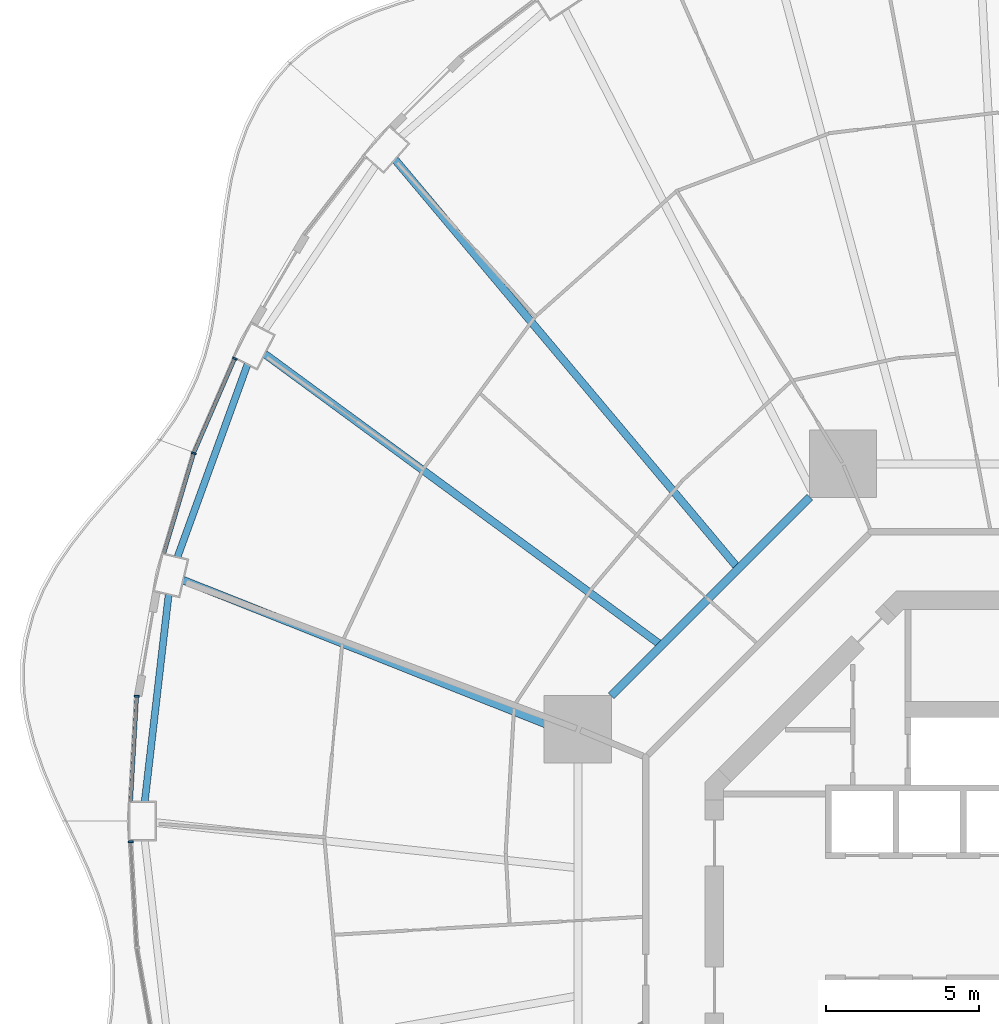
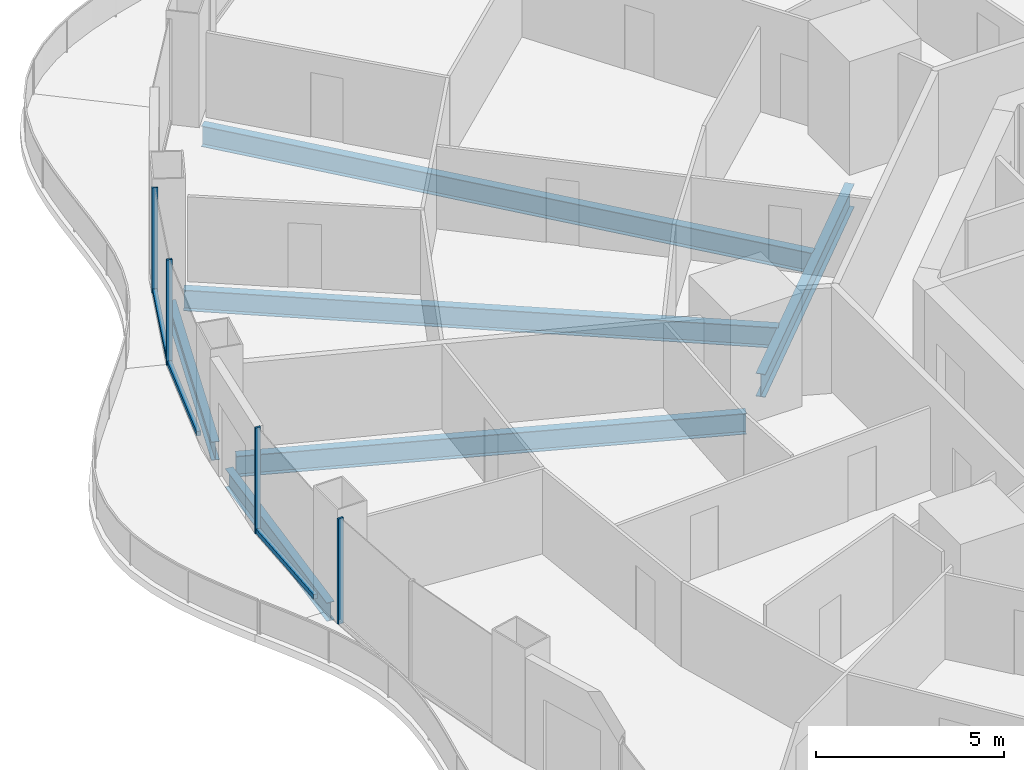
# One storey, part 7 of 22: 7 members, 6 beams, 4 elements without a shape of their own.
"""IFC4 building model written with IfcOpenShell, lengths in metres."""

import ifcopenshell
import ifcopenshell.guid

model = None  # the IFC model being written
_history = None  # IfcOwnerHistory: only IFC2X3 demands one
_inside = {}  # id of a spatial element -> (the spatial element, [elements in it])
_under = {}  # id of a project, library or spatial element -> (it, [spatial elements below it])
_declared = {}  # id of a project -> (the project, [libraries it declares])
_typed = {}  # id of a type object -> (the type object, [elements of that type])
_made_of = {}  # id of a material, layer set ... -> (it, [elements and type objects made of it])


def new_model(schema):
    """Start an empty IFC model of exactly this schema.

    Asked for "IFC4X3", IfcOpenShell would pick the latest addendum, in which some entities
    have other attributes; the version numbers below select the first issue.
    IFC2X3 requires an IfcOwnerHistory on every rooted entity: one is made here for all.
    """
    global model, _history
    if schema == "IFC4X3":
        model = ifcopenshell.file(schema_version=(4, 3, 0, 0))
    else:
        model = ifcopenshell.file(schema=schema)
    _inside.clear()
    _under.clear()
    _declared.clear()
    _typed.clear()
    _made_of.clear()
    _history = None
    if model.schema == "IFC2X3":
        org = make("IfcOrganization", Name="unknown")
        user = make(
            "IfcPersonAndOrganization",
            ThePerson=make("IfcPerson", FamilyName="unknown"),
            TheOrganization=org,
        )
        app = make(
            "IfcApplication",
            ApplicationDeveloper=org,
            Version="unknown",
            ApplicationFullName="unknown",
            ApplicationIdentifier="unknown",
        )
        _history = make(
            "IfcOwnerHistory",
            OwningUser=user,
            OwningApplication=app,
            ChangeAction="ADDED",
            CreationDate=0,
        )
    return model


def make(cls, **values):
    """One entity of the class cls with the attributes given. An attribute that is None is left unset."""
    return model.create_entity(
        cls, **{name: value for name, value in values.items() if value is not None}
    )


def rooted(cls, **values):
    """An entity with a GlobalId (a new one), such as an element, a storey or a relation."""
    return make(cls, GlobalId=ifcopenshell.guid.new(), OwnerHistory=_history, **values)


def si_unit(unit_type, name, prefix=None):
    """IfcSIUnit, for example si_unit("LENGTHUNIT", "METRE", prefix="MILLI")."""
    return make("IfcSIUnit", UnitType=unit_type, Prefix=prefix, Name=name)


def assignment(units):
    """IfcUnitAssignment: the units of a project."""
    return None if units is None else make("IfcUnitAssignment", Units=units)


def point(xyz):
    """IfcCartesianPoint."""
    return None if xyz is None else make("IfcCartesianPoint", Coordinates=xyz)


def direction(xyz):
    """IfcDirection."""
    return None if xyz is None else make("IfcDirection", DirectionRatios=xyz)


def frame(location, z_axis=None, x_axis=None):
    """IfcAxis2Placement3D, a coordinate frame: its origin and axes. An axis left out is left unset."""
    return make(
        "IfcAxis2Placement3D",
        Location=point(location),
        Axis=direction(z_axis),
        RefDirection=direction(x_axis),
    )


def frame_2d(location, x_axis=None):
    """IfcAxis2Placement2D, a coordinate frame in the plane: its origin and x axis."""
    return make(
        "IfcAxis2Placement2D", Location=point(location), RefDirection=direction(x_axis)
    )


def origin():
    """The frame at (0, 0, 0) with its axes left unset."""
    return frame((0.0, 0.0, 0.0))


def origin_2d():
    """The frame at (0, 0) in the plane with its x axis left unset."""
    return frame_2d((0.0, 0.0))


def place(relative_to, where):
    """IfcLocalPlacement: puts the frame where relative to a parent placement (None: the world)."""
    return make(
        "IfcLocalPlacement", PlacementRelTo=relative_to, RelativePlacement=where
    )


def context(
    kind, dimensions, precision=None, world=None, true_north=None, identifier=None
):
    """IfcGeometricRepresentationContext, for example the 3D "Model" context."""
    return make(
        "IfcGeometricRepresentationContext",
        ContextIdentifier=identifier,
        ContextType=kind,
        CoordinateSpaceDimension=dimensions,
        Precision=precision,
        WorldCoordinateSystem=world,
        TrueNorth=true_north,
    )


def subcontext(parent, identifier, kind, view, scale=None):
    """IfcGeometricRepresentationSubContext, for example "Body" below "Model"."""
    return make(
        "IfcGeometricRepresentationSubContext",
        ContextIdentifier=identifier,
        ContextType=kind,
        ParentContext=parent,
        TargetScale=scale,
        TargetView=view,
    )


def project(units=None, contexts=None):
    """IfcProject with its units and contexts."""
    return rooted(
        "IfcProject",
        Name="project",
        RepresentationContexts=contexts,
        UnitsInContext=assignment(units),
    )


def spatial(cls, under=None, at=None, **own):
    """A site, building, storey or space (cls), placed at a placement, below another one or the project."""
    s = rooted(cls, ObjectPlacement=at, **own)
    if under is not None:
        _under.setdefault(under.id(), (under, []))[1].append(s)
    return s


def profile(cls, at=None, kind="AREA", **sizes):
    """A parametric profile (cls). Its sizes go by their IFC names, for example OverallWidth=200.0."""
    return make(cls, ProfileType=kind, Position=at, **sizes)


def rectangle(**sizes):
    """IfcRectangleProfileDef."""
    return profile("IfcRectangleProfileDef", **sizes)


def i_section(**sizes):
    """IfcIShapeProfileDef."""
    return profile("IfcIShapeProfileDef", **sizes)


def extrude(swept, where, along, depth):
    """IfcExtrudedAreaSolid: the profile swept, set in the frame where, extruded along a direction by depth."""
    return make(
        "IfcExtrudedAreaSolid",
        SweptArea=swept,
        Position=where,
        ExtrudedDirection=direction(along),
        Depth=depth,
    )


def shape(context_of_items, identifier, shape_type, items):
    """IfcShapeRepresentation: the items that make up one representation, for example the "Body"."""
    return make(
        "IfcShapeRepresentation",
        ContextOfItems=context_of_items,
        RepresentationIdentifier=identifier,
        RepresentationType=shape_type,
        Items=items,
    )


def material(Name=None, Category=None):
    """IfcMaterial."""
    return make("IfcMaterial", Name=Name, Category=Category)


def layer(
    of_material, thickness, ventilated=None, Name=None, Category=None, Priority=None
):
    """IfcMaterialLayer: one layer of a wall or slab, of a material (None: an air gap)."""
    return make(
        "IfcMaterialLayer",
        Material=of_material,
        LayerThickness=thickness,
        IsVentilated=ventilated,
        Name=Name,
        Category=Category,
        Priority=Priority,
    )


def layer_set(layers, Name=None):
    """IfcMaterialLayerSet."""
    return make("IfcMaterialLayerSet", MaterialLayers=layers, LayerSetName=Name)


def material_profile(
    of_material, cross_section, Name=None, Category=None, Priority=None
):
    """IfcMaterialProfile: a cross section and its material."""
    return make(
        "IfcMaterialProfile",
        Name=Name,
        Material=of_material,
        Profile=cross_section,
        Priority=Priority,
        Category=Category,
    )


def profile_set(profiles, Name=None, composite=None):
    """IfcMaterialProfileSet."""
    return make(
        "IfcMaterialProfileSet",
        Name=Name,
        MaterialProfiles=profiles,
        CompositeProfile=composite,
    )


def made_of(thing, what):
    """Note that an element or type object is made of a material, layer set ...; save() writes the relation."""
    if what is not None:
        _made_of.setdefault(what.id(), (what, []))[1].append(thing)
    return thing


def type_object(cls, material=None, **own):
    """A type object (cls), such as IfcWallType, which elements share."""
    return made_of(rooted(cls, **own), material)


def element(
    cls,
    number,
    at=None,
    inside=None,
    cuts=None,
    type_object=None,
    material=None,
    context=None,
    identifier="Body",
    shape_type=None,
    held_by="IfcProductDefinitionShape",
    body=None,
    shapes=None,
    **own,
):
    """One element of the class cls, such as IfcWall. Its Tag is "e" and its number.

    at: its placement. inside: the storey or other place that contains it. cuts: it is an
    opening in that element (IfcRelVoidsElement). A single representation is given by context,
    identifier, shape_type and body (its items); several are given by shapes. held_by: the class
    of the entity that holds the representations. save() writes the other relations.
    """
    e = rooted(cls, Tag="e%d" % number, ObjectPlacement=at, **own)
    if body is not None:
        shapes = [shape(context, identifier, shape_type, body)]
    if shapes is not None:
        e.Representation = make(held_by, Representations=shapes)
    if inside is not None:
        _inside.setdefault(inside.id(), (inside, []))[1].append(e)
    if cuts is not None:
        rooted(
            "IfcRelVoidsElement", RelatingBuildingElement=cuts, RelatedOpeningElement=e
        )
    if type_object is not None:
        _typed.setdefault(type_object.id(), (type_object, []))[1].append(e)
    return made_of(e, material)


def aggregate(whole, parts):
    """IfcRelAggregates: a whole, such as a stair, and the parts it consists of."""
    return rooted("IfcRelAggregates", RelatingObject=whole, RelatedObjects=parts)


def save(model, path):
    """Write the relations noted so far, then the file.

    IfcRelAggregates (storeys below a building ...), IfcRelContainedInSpatialStructure (elements
    in a storey), IfcRelDefinesByType, IfcRelAssociatesMaterial and IfcRelDeclares: one each for
    every whole, place, type object, material and project.
    """
    for whole, parts in _under.values():
        aggregate(whole, parts)
    for where, things in _inside.values():
        rooted(
            "IfcRelContainedInSpatialStructure",
            RelatedElements=things,
            RelatingStructure=where,
        )
    for kind, things in _typed.values():
        rooted("IfcRelDefinesByType", RelatedObjects=things, RelatingType=kind)
    for what, things in _made_of.values():
        rooted("IfcRelAssociatesMaterial", RelatedObjects=things, RelatingMaterial=what)
    for by, libraries in _declared.values():
        rooted("IfcRelDeclares", RelatingContext=by, RelatedDefinitions=libraries)
    model.write(path)


model = new_model("IFC4")

# Units and contexts
model_context = context("Model", 3, precision=1e-05, world=origin(), true_north=direction((0.0, 1.0)))
body_context = subcontext(model_context, "Body", "Model", "MODEL_VIEW")
ifc_project = project(units=[si_unit("LENGTHUNIT", "METRE"), si_unit("AREAUNIT", "SQUARE_METRE"), si_unit("VOLUMEUNIT", "CUBIC_METRE"), si_unit("PLANEANGLEUNIT", "RADIAN"), si_unit("MASSUNIT", "GRAM", prefix="KILO")], contexts=[model_context])

# Site, building, storey
site_placement = place(None, origin())
site = spatial("IfcSite", under=ifc_project, at=site_placement, CompositionType="ELEMENT")
building_placement = place(site_placement, origin())
building = spatial("IfcBuilding", under=site, at=building_placement, Name="Nagisa Residences", CompositionType="ELEMENT")
storey_placement = place(building_placement, frame((0.0, 0.0, 106.60009765625)))
storey = spatial("IfcBuildingStorey", under=building, at=storey_placement, Name="L26", CompositionType="ELEMENT", Elevation=106.60009765625)

# Curtain wall, member
ifc_material_1 = material(Name="Concrete-coloured aluminium curtain wall system", Category="concrete")
ifc_layer = layer(ifc_material_1, 0.159912109375)
ifc_layer_set = layer_set([ifc_layer], Name="CW1 CURTAIN WALL")
curtain_wall_type = type_object("IfcCurtainWallType", Name="CW1 CURTAIN WALL", PredefinedType="NOTDEFINED", material=ifc_layer_set)
curtain_wall_1_placement = place(storey_placement, origin())
curtain_wall_1 = element("IfcCurtainWall", 1, at=curtain_wall_1_placement, inside=storey, type_object=curtain_wall_type, Name="cw:CW1:L26:20", PredefinedType="NOTDEFINED")
ifc_material_2 = material(Name="Concrete-coloured aluminium", Category="concrete")
ifc_material_profile_1 = material_profile(ifc_material_2, rectangle(XDim=0.159912109375, YDim=0.06005859375, at=origin_2d()), Name="CW1 MULLION 160x60")
ifc_profile_set_1 = profile_set([ifc_material_profile_1], Name="Concrete-coloured aluminium")
member_type_1 = type_object("IfcMemberType", Name="CW1 MULLION 160x60", PredefinedType="MULLION", material=ifc_profile_set_1)
member_1_placement = place(storey_placement, frame((-25.9814453125, 18.219482421875, 0.0), z_axis=(0.0, 0.0, 1.0), x_axis=(0.917543276295, -0.397635934147, 0.0)))
member_1 = element("IfcMember", 2, at=member_1_placement, type_object=member_type_1, Name="CW1 mullion", PredefinedType="MULLION", context=body_context, shape_type="SweptSolid", body=[
    extrude(rectangle(XDim=0.159912109375, YDim=0.06005859375, at=origin_2d()), origin(), (0.0, 0.0, 1.0), 3.43994140625),
])

curtain_wall_2_placement = place(storey_placement, origin())
curtain_wall_2 = element("IfcCurtainWall", 3, at=curtain_wall_2_placement, inside=storey, type_object=curtain_wall_type, Name="cw:CW1:L26:21", PredefinedType="NOTDEFINED")
member_2_placement = place(storey_placement, frame((-27.31884765625, 15.12646484375, 0.0), z_axis=(0.0, 0.0, 1.0), x_axis=(0.958271310082, -0.285860274038, 0.0)))
member_2 = element("IfcMember", 4, at=member_2_placement, type_object=member_type_1, Name="CW1 mullion", PredefinedType="MULLION", context=body_context, shape_type="SweptSolid", body=[
    extrude(rectangle(XDim=0.159912109375, YDim=0.06005859375, at=origin_2d()), origin(), (0.0, 0.0, 1.0), 3.43994140625),
])

curtain_wall_3_placement = place(storey_placement, origin())
curtain_wall_3 = element("IfcCurtainWall", 5, at=curtain_wall_3_placement, inside=storey, type_object=curtain_wall_type, Name="cw:CW1:L26:23", PredefinedType="NOTDEFINED")
member_3_placement = place(storey_placement, frame((-29.179931640625, 7.19677734375, 0.0), z_axis=(0.0, 0.0, 1.0), x_axis=(0.998345305184, -0.057503492216, 0.0)))
member_3 = element("IfcMember", 6, at=member_3_placement, type_object=member_type_1, Name="CW1 mullion", PredefinedType="MULLION", context=body_context, shape_type="SweptSolid", body=[
    extrude(rectangle(XDim=0.159912109375, YDim=0.06005859375, at=origin_2d()), origin(), (0.0, 0.0, 1.0), 3.43994140625),
])

curtain_wall_4_placement = place(storey_placement, origin())
curtain_wall_4 = element("IfcCurtainWall", 7, at=curtain_wall_4_placement, inside=storey, type_object=curtain_wall_type, Name="cw:CW1:L26:24", PredefinedType="NOTDEFINED")
member_4_placement = place(storey_placement, frame((-29.3759765625, 2.443359375, 0.0), z_axis=(0.0, 0.0, 1.0), x_axis=(0.998345305184, 0.057503492216, 0.0)))
member_4 = element("IfcMember", 8, at=member_4_placement, type_object=member_type_1, Name="CW1 mullion", PredefinedType="MULLION", context=body_context, shape_type="SweptSolid", body=[
    extrude(rectangle(XDim=0.159912109375, YDim=0.06005859375, at=origin_2d()), origin(), (0.0, 0.0, 1.0), 3.43994140625),
])
aggregate(curtain_wall_4, [member_4])

# Member
ifc_material_3 = material(Name="Concrete-coloured aluminium", Category="concrete")
ifc_material_profile_2 = material_profile(ifc_material_3, rectangle(XDim=0.1201171875, YDim=0.14990234375, at=origin_2d()), Name="CW1 TRANSOM 120x150")
ifc_profile_set_2 = profile_set([ifc_material_profile_2], Name="Concrete-coloured aluminium")
member_type_2 = type_object("IfcMemberType", Name="CW1 TRANSOM 120x150", PredefinedType="USERDEFINED", material=ifc_profile_set_2)
member_5_placement = place(storey_placement, frame((-25.9697265625, 18.2470703125, 0.074951171875), z_axis=(-0.397621629246, -0.917549475481, 0.0), x_axis=(0.917549475481, -0.397621629246, 0.0)))
member_5 = element("IfcMember", 9, at=member_5_placement, type_object=member_type_2, Name="CW1 transom", ObjectType="TRANSOM", PredefinedType="USERDEFINED", context=body_context, shape_type="SweptSolid", body=[
    extrude(rectangle(XDim=0.1201171875, YDim=0.14990234375, at=origin_2d()), origin(), (0.0, 0.0, 1.0), 3.37939453125),
])

aggregate(curtain_wall_1, [member_1, member_5])

member_6_placement = place(storey_placement, frame((-27.310302734375, 15.155029296875, 0.074951171875), z_axis=(-0.285816610469, -0.958284334203, 0.0), x_axis=(0.958284334203, -0.285816610469, 0.0)))
member_6 = element("IfcMember", 10, at=member_6_placement, type_object=member_type_2, Name="CW1 transom", ObjectType="TRANSOM", PredefinedType="USERDEFINED", context=body_context, shape_type="SweptSolid", body=[
    extrude(rectangle(XDim=0.1201171875, YDim=0.14990234375, at=origin_2d()), origin(), (0.0, 0.0, 1.0), 3.423583984375),
])

aggregate(curtain_wall_2, [member_2, member_6])

member_7_placement = place(storey_placement, frame((-29.17822265625, 7.2265625, 0.074951171875), z_axis=(-0.057476526179, -0.99834685803, 0.0), x_axis=(0.99834685803, -0.057476526179, 0.0)))
member_7 = element("IfcMember", 11, at=member_7_placement, type_object=member_type_2, Name="CW1 transom", ObjectType="TRANSOM", PredefinedType="USERDEFINED", context=body_context, shape_type="SweptSolid", body=[
    extrude(rectangle(XDim=0.1201171875, YDim=0.14990234375, at=origin_2d()), origin(), (0.0, 0.0, 1.0), 3.47021484375),
])

aggregate(curtain_wall_3, [member_3, member_7])

# Beams
ifc_material_4 = material(Name="Steel ASTM A572 Gr 50", Category="steel")
ifc_material_profile_3 = material_profile(ifc_material_4, i_section(OverallWidth=0.264892578125, OverallDepth=0.7529296875, WebThickness=0.01318359375, FlangeThickness=0.01708984375, at=origin_2d()), Name="W760x147")
ifc_profile_set_3 = profile_set([ifc_material_profile_3], Name="Steel ASTM A572 Gr 50")
beam_type_1 = type_object("IfcBeamType", Name="Inner ring beam W760x147", PredefinedType="BEAM", material=ifc_profile_set_3)
beam_1_placement = place(storey_placement, frame((-7.208740234375, 13.6962890625, -0.63671875), z_axis=(-0.707106781187, -0.707106781187, 0.0), x_axis=(0.707106781187, -0.707106781187, 0.0)))
element("IfcBeam", 12, at=beam_1_placement, inside=storey, type_object=beam_type_1, Name="beam:L26:ib3", PredefinedType="BEAM", context=body_context, shape_type="SweptSolid", body=[
    extrude(i_section(OverallWidth=0.264892578125, OverallDepth=0.7529296875, WebThickness=0.01318359375, FlangeThickness=0.01708984375, at=origin_2d()), origin(), (0.0, 0.0, 1.0), 9.1748046875),
])
ifc_material_5 = material(Name="Steel ASTM A572 Gr 50", Category="steel")
ifc_material_profile_4 = material_profile(ifc_material_5, i_section(OverallWidth=0.22802734375, OverallDepth=0.60302734375, WebThickness=0.010498046875, FlangeThickness=0.014892578125, at=origin_2d()), Name="W610x101")
ifc_profile_set_4 = profile_set([ifc_material_profile_4], Name="Steel ASTM A572 Gr 50")
beam_type_2 = type_object("IfcBeamType", Name="Perimeter ring beam W610x101", PredefinedType="BEAM", material=ifc_profile_set_4)
beam_2_placement = place(storey_placement, frame((-25.568359375, 18.028564453125, -0.5615234375), z_axis=(-0.341365002286, -0.939930814057, 0.0), x_axis=(0.939930814057, -0.341365002286, 0.0)))
element("IfcBeam", 13, at=beam_2_placement, inside=storey, type_object=beam_type_2, Name="beam:L26:pb11", PredefinedType="BEAM", context=body_context, shape_type="SweptSolid", body=[
    extrude(i_section(OverallWidth=0.22802734375, OverallDepth=0.60302734375, WebThickness=0.010498046875, FlangeThickness=0.014892578125, at=origin_2d()), origin(), (0.0, 0.0, 1.0), 6.689208984375),
])
beam_3_placement = place(storey_placement, frame((-28.14111328125, 10.5146484375, -0.5615234375), z_axis=(-0.114690766503, -0.993401242237, 0.0), x_axis=(0.993401242237, -0.114690766503, 0.0)))
element("IfcBeam", 14, at=beam_3_placement, inside=storey, type_object=beam_type_2, Name="beam:L26:pb12", PredefinedType="BEAM", context=body_context, shape_type="SweptSolid", body=[
    extrude(i_section(OverallWidth=0.22802734375, OverallDepth=0.60302734375, WebThickness=0.010498046875, FlangeThickness=0.014892578125, at=origin_2d()), origin(), (0.0, 0.0, 1.0), 6.811767578125),
])
ifc_material_6 = material(Name="Steel ASTM A572 Gr 50", Category="steel")
ifc_material_profile_5 = material_profile(ifc_material_6, i_section(OverallWidth=0.2529296875, OverallDepth=0.677978515625, WebThickness=0.01171875, FlangeThickness=0.016357421875, at=origin_2d()), Name="W690x125")
ifc_profile_set_5 = profile_set([ifc_material_profile_5], Name="Steel ASTM A572 Gr 50")
beam_type_3 = type_object("IfcBeamType", Name="Radial beam W690x125", PredefinedType="BEAM", material=ifc_profile_set_5)
beam_4_placement = place(storey_placement, frame((-20.75, 24.71533203125, -0.59912109375), z_axis=(0.642994706096, -0.765870620884, 0.0), x_axis=(0.765870620884, 0.642994706096, 0.0)))
element("IfcBeam", 15, at=beam_4_placement, inside=storey, type_object=beam_type_3, Name="beam:L26:rb10", PredefinedType="BEAM", context=body_context, shape_type="SweptSolid", body=[
    extrude(i_section(OverallWidth=0.2529296875, OverallDepth=0.677978515625, WebThickness=0.01171875, FlangeThickness=0.016357421875, at=origin_2d()), origin(), (0.0, 0.0, 1.0), 17.319580078125),
])
beam_5_placement = place(storey_placement, frame((-25.0, 18.366943359375, -0.59912109375), z_axis=(0.805892392895, -0.59206203313, 0.0), x_axis=(0.59206203313, 0.805892392895, 0.0)))
element("IfcBeam", 16, at=beam_5_placement, inside=storey, type_object=beam_type_3, Name="beam:L26:rb11", PredefinedType="BEAM", context=body_context, shape_type="SweptSolid", body=[
    extrude(i_section(OverallWidth=0.2529296875, OverallDepth=0.677978515625, WebThickness=0.01171875, FlangeThickness=0.016357421875, at=origin_2d()), origin(), (0.0, 0.0, 1.0), 15.95361328125),
])
beam_6_placement = place(storey_placement, frame((-27.6640625, 10.984375, -0.59912109375), z_axis=(0.929418643834, -0.369027078267, 0.0), x_axis=(0.369027078267, 0.929418643834, 0.0)))
element("IfcBeam", 17, at=beam_6_placement, inside=storey, type_object=beam_type_3, Name="beam:L26:rb12", PredefinedType="BEAM", context=body_context, shape_type="SweptSolid", body=[
    extrude(i_section(OverallWidth=0.2529296875, OverallDepth=0.677978515625, WebThickness=0.01171875, FlangeThickness=0.016357421875, at=origin_2d()), origin(), (0.0, 0.0, 1.0), 13.73779296875),
])

save(model, "model.ifc")
